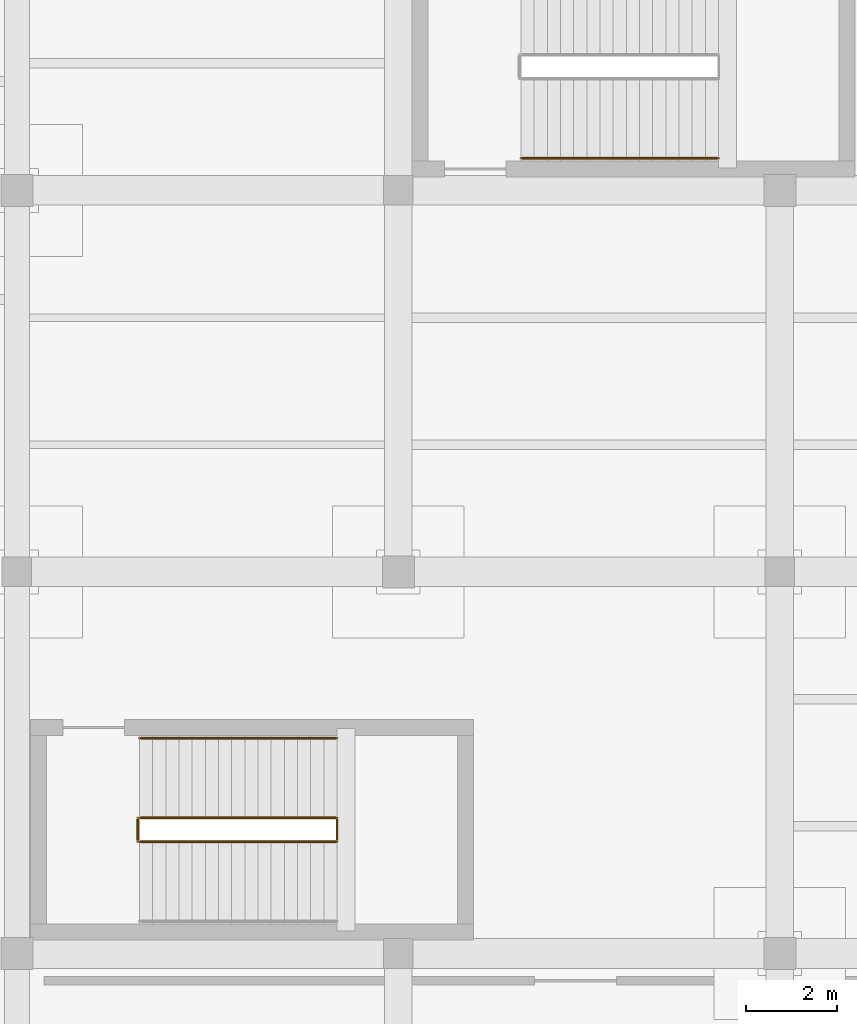
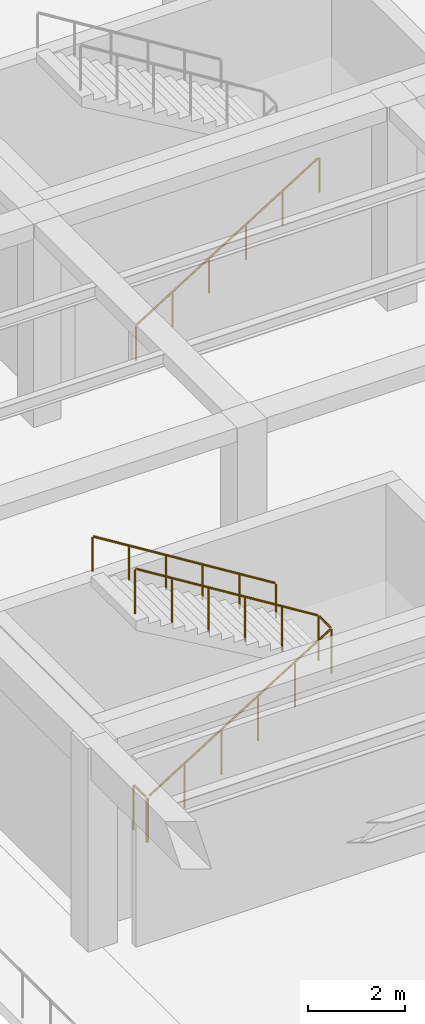
# One storey, part 87 of 95: 4 railings.
"""IFC4 building model written with IfcOpenShell, lengths in metres."""

from ifc_helpers import new_model, si_unit, direction, frame, origin, origin_2d, place, context, subcontext, project, spatial, circle, extrude, material, type_object, element, save


model = new_model("IFC4")

# Units and contexts
model_context = context("Model", 3, precision=1e-05, world=origin(), true_north=direction((0.0, 1.0)))
body_context = subcontext(model_context, "Body", "Model", "MODEL_VIEW")
ifc_project = project(units=[si_unit("LENGTHUNIT", "METRE"), si_unit("AREAUNIT", "SQUARE_METRE"), si_unit("VOLUMEUNIT", "CUBIC_METRE"), si_unit("PLANEANGLEUNIT", "RADIAN"), si_unit("MASSUNIT", "GRAM", prefix="KILO")], contexts=[model_context])

# Site, building, storey
site_placement = place(None, origin())
site = spatial("IfcSite", under=ifc_project, at=site_placement, CompositionType="ELEMENT")
building_placement = place(site_placement, origin())
building = spatial("IfcBuilding", under=site, at=building_placement, Name="Almacenes y Pasaje Nevantli", CompositionType="ELEMENT")
storey_placement = place(building_placement, frame((0.0, 0.0, 11.39990234375)))
storey = spatial("IfcBuildingStorey", under=building, at=storey_placement, Name="L03", CompositionType="ELEMENT", Elevation=11.39990234375)

# Railings
ifc_material_1 = material(Name="Brushed Stainless Steel and Tempered Safety Glass", Category="steel")
railing_type_1 = type_object("IfcRailingType", Name="RL-GUARD-1100", PredefinedType="BALUSTRADE", material=ifc_material_1)
railing_1_placement = place(storey_placement, frame((95.10009765625, 44.4599609375, 0.0)))
element("IfcRailing", 1, at=railing_1_placement, inside=storey, type_object=railing_type_1, Name="L03 Stair ST-08 Inner Well Guard Balustrade", PredefinedType="BALUSTRADE", context=body_context, shape_type="SweptSolid", body=[
    extrude(circle(Radius=0.02392578125, at=origin_2d()), frame((0.025390625, 0.0, 1.1416015625), z_axis=(0.849615114927, 0.0, 0.52740322002), x_axis=(0.0, 1.0, 0.0)), (0.0, 0.0, 1.0), 5.059814453125),
    extrude(circle(Radius=0.02392578125, at=origin_2d()), frame((4.349853515625, 0.030029296875, 3.826171875), z_axis=(0.0, 1.0, 0.0), x_axis=(-1.0, 0.0, 0.0)), (0.0, 0.0, 1.0), 0.469970703125),
    extrude(circle(Radius=0.02392578125, at=origin_2d()), frame((4.324462890625, 0.530029296875, 3.841796875), z_axis=(-0.849636482215, 0.0, 0.527368797038), x_axis=(0.0, -1.0, 0.0)), (0.0, 0.0, 1.0), 5.0595703125),
    extrude(circle(Radius=0.02099609375, at=origin_2d()), origin(), (0.0, 0.0, 1.0), 1.096923828125),
    extrude(circle(Radius=0.02099609375, at=origin_2d()), frame((0.869873046875, 0.0, 0.5400390625)), (0.0, 0.0, 1.0), 1.096923828125),
    extrude(circle(Radius=0.02099609375, at=origin_2d()), frame((1.739990234375, 0.0, 1.080078125)), (0.0, 0.0, 1.0), 1.096923828125),
    extrude(circle(Radius=0.02099609375, at=origin_2d()), frame((2.60986328125, 0.0, 1.6201171875)), (0.0, 0.0, 1.0), 1.096923828125),
    extrude(circle(Radius=0.02099609375, at=origin_2d()), frame((3.47998046875, 0.0, 2.16015625)), (0.0, 0.0, 1.0), 1.096923828125),
    extrude(circle(Radius=0.02099609375, at=origin_2d()), frame((4.349853515625, 0.0, 2.7001953125)), (0.0, 0.0, 1.0), 1.096923828125),
    extrude(circle(Radius=0.02099609375, at=origin_2d()), frame((4.349853515625, 0.530029296875, 2.7001953125)), (0.0, 0.0, 1.0), 1.096923828125),
    extrude(circle(Radius=0.02099609375, at=origin_2d()), frame((3.47998046875, 0.530029296875, 3.240234375)), (0.0, 0.0, 1.0), 1.096923828125),
    extrude(circle(Radius=0.02099609375, at=origin_2d()), frame((2.60986328125, 0.530029296875, 3.7802734375)), (0.0, 0.0, 1.0), 1.096923828125),
    extrude(circle(Radius=0.02099609375, at=origin_2d()), frame((1.739990234375, 0.530029296875, 4.320068359375)), (0.0, 0.0, 1.0), 1.096923828125),
    extrude(circle(Radius=0.02099609375, at=origin_2d()), frame((0.869873046875, 0.530029296875, 4.860107421875)), (0.0, 0.0, 1.0), 1.096923828125),
    extrude(circle(Radius=0.02099609375, at=origin_2d()), frame((0.0, 0.530029296875, 5.400146484375)), (0.0, 0.0, 1.0), 1.096923828125),
])
railing_2_placement = place(storey_placement, frame((95.06005859375, 44.4599609375, 0.0)))
element("IfcRailing", 2, at=railing_2_placement, inside=storey, type_object=railing_type_1, Name="L03 Stair ST-08 Landing Well Slot Guard", PredefinedType="BALUSTRADE", context=body_context, shape_type="SweptSolid", body=[
    extrude(circle(Radius=0.02392578125, at=origin_2d()), frame((0.0, 0.030029296875, 1.1259765625), z_axis=(0.0, 1.0, 0.0), x_axis=(-1.0, 0.0, 0.0)), (0.0, 0.0, 1.0), 0.469970703125),
    extrude(circle(Radius=0.02099609375, at=origin_2d()), origin(), (0.0, 0.0, 1.0), 1.096923828125),
    extrude(circle(Radius=0.02099609375, at=origin_2d()), frame((0.0, 0.530029296875, 0.0)), (0.0, 0.0, 1.0), 1.096923828125),
])
ifc_material_2 = material(Name="Brushed Stainless Steel Tube", Category="steel")
railing_type_2 = type_object("IfcRailingType", Name="RL-HANDRAIL-900", PredefinedType="HANDRAIL", material=ifc_material_2)
railing_3_placement = place(storey_placement, frame((99.449951171875, 46.739990234375, 2.7001953125)))
element("IfcRailing", 3, at=railing_3_placement, inside=storey, type_object=railing_type_2, Name="L03 Stair ST-08 Upper Flight Handrail", PredefinedType="HANDRAIL", context=body_context, shape_type="SweptSolid", body=[
    extrude(circle(Radius=0.02392578125, at=origin_2d()), frame((-0.025390625, 0.0, 0.8916015625), z_axis=(-0.849636482215, 0.0, 0.527368797038), x_axis=(0.0, -1.0, 0.0)), (0.0, 0.0, 1.0), 5.0595703125),
    extrude(circle(Radius=0.02099609375, at=origin_2d()), origin(), (0.0, 0.0, 1.0), 0.846923828125),
    extrude(circle(Radius=0.02099609375, at=origin_2d()), frame((-0.869873046875, 0.0, 0.5400390625)), (0.0, 0.0, 1.0), 0.846923828125),
    extrude(circle(Radius=0.02099609375, at=origin_2d()), frame((-1.739990234375, 0.0, 1.080078125)), (0.0, 0.0, 1.0), 0.846923828125),
    extrude(circle(Radius=0.02099609375, at=origin_2d()), frame((-2.60986328125, 0.0, 1.619873046875)), (0.0, 0.0, 1.0), 0.846923828125),
    extrude(circle(Radius=0.02099609375, at=origin_2d()), frame((-3.47998046875, 0.0, 2.159912109375)), (0.0, 0.0, 1.0), 0.846923828125),
    extrude(circle(Radius=0.02099609375, at=origin_2d()), frame((-4.349853515625, 0.0, 2.699951171875)), (0.0, 0.0, 1.0), 0.846923828125),
])
railing_4_placement = place(storey_placement, frame((103.5, 59.510009765625, 0.0)))
element("IfcRailing", 4, at=railing_4_placement, inside=storey, type_object=railing_type_2, Name="L03 Stair ST-13 Lower Flight Handrail", PredefinedType="HANDRAIL", context=body_context, shape_type="SweptSolid", body=[
    extrude(circle(Radius=0.02392578125, at=origin_2d()), frame((0.025390625, 0.0, 0.8916015625), z_axis=(0.849628378081, 0.0, 0.527381853271), x_axis=(0.0, 1.0, 0.0)), (0.0, 0.0, 1.0), 5.06005859375),
    extrude(circle(Radius=0.02099609375, at=origin_2d()), origin(), (0.0, 0.0, 1.0), 0.846923828125),
    extrude(circle(Radius=0.02099609375, at=origin_2d()), frame((0.8701171875, 0.0, 0.5400390625)), (0.0, 0.0, 1.0), 0.846923828125),
    extrude(circle(Radius=0.02099609375, at=origin_2d()), frame((1.739990234375, 0.0, 1.080078125)), (0.0, 0.0, 1.0), 0.846923828125),
    extrude(circle(Radius=0.02099609375, at=origin_2d()), frame((2.610107421875, 0.0, 1.6201171875)), (0.0, 0.0, 1.0), 0.846923828125),
    extrude(circle(Radius=0.02099609375, at=origin_2d()), frame((3.47998046875, 0.0, 2.16015625)), (0.0, 0.0, 1.0), 0.846923828125),
    extrude(circle(Radius=0.02099609375, at=origin_2d()), frame((4.35009765625, 0.0, 2.7001953125)), (0.0, 0.0, 1.0), 0.846923828125),
])

save(model, "model.ifc")
